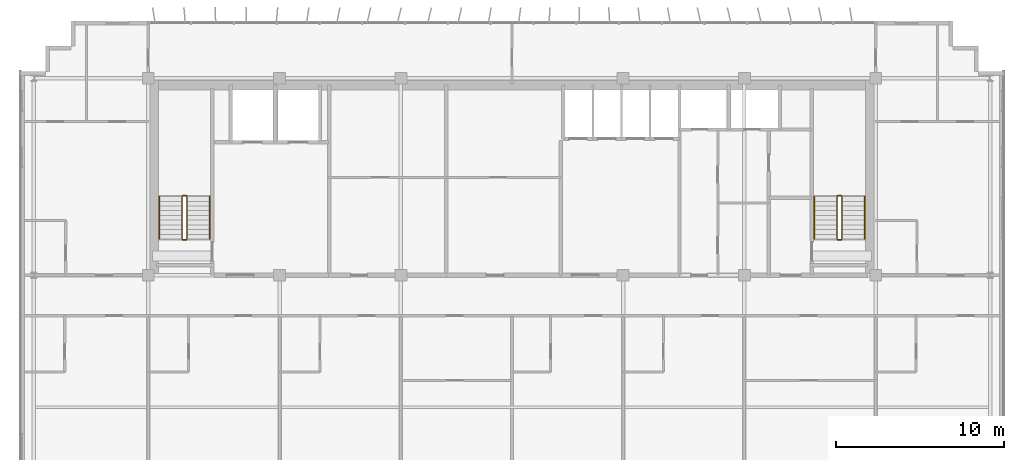
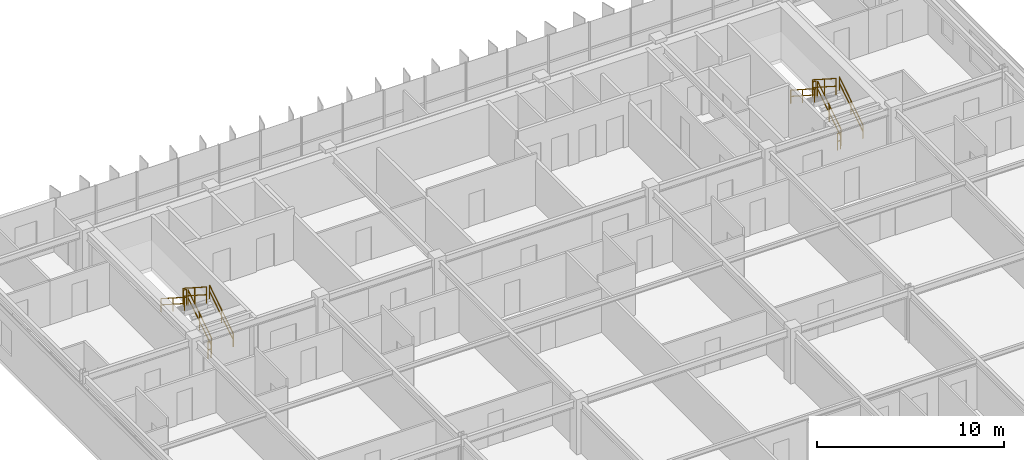
# One storey, part 23 of 23: 12 railings.
"""IFC4 building model written with IfcOpenShell, lengths in metres."""

from ifc_helpers import new_model, si_unit, direction, frame, origin, origin_2d, place, context, subcontext, project, spatial, rectangle, extrude, material, type_object, element, save


model = new_model("IFC4")

# Units and contexts
model_context = context("Model", 3, precision=1e-05, world=origin(), true_north=direction((0.0, 1.0)))
body_context = subcontext(model_context, "Body", "Model", "MODEL_VIEW")
ifc_project = project(units=[si_unit("LENGTHUNIT", "METRE"), si_unit("AREAUNIT", "SQUARE_METRE"), si_unit("VOLUMEUNIT", "CUBIC_METRE"), si_unit("PLANEANGLEUNIT", "RADIAN"), si_unit("MASSUNIT", "GRAM", prefix="KILO")], contexts=[model_context])

# Site, building, storey
site_placement = place(None, origin())
site = spatial("IfcSite", under=ifc_project, at=site_placement, CompositionType="ELEMENT")
building_placement = place(site_placement, origin())
building = spatial("IfcBuilding", under=site, at=building_placement, Name="Trelvane Seafront Commons", CompositionType="ELEMENT")
storey_placement = place(building_placement, frame((0.0, 0.0, 226.5)))
storey = spatial("IfcBuildingStorey", under=building, at=storey_placement, Name="L59", CompositionType="ELEMENT", Elevation=226.5)

# Railings
ifc_material = material(Name="Stainless steel balustrade", Category="steel")
railing_type_1 = type_object("IfcRailingType", Name="ARCH-SRL-GUARD", PredefinedType="GUARDRAIL", material=ifc_material)
railing_1_placement = place(storey_placement, frame((17.89990234375, 35.550048828125, 0.179931640625)))
element("IfcRailing", 1, at=railing_1_placement, inside=storey, type_object=railing_type_1, Name="L59 ST-1 stair guard 1", PredefinedType="GUARDRAIL", context=body_context, shape_type="SweptSolid", body=[
    extrude(rectangle(XDim=0.048095703125, YDim=0.048095703125, at=origin_2d()), frame((0.0, 0.0, 1.076171875), z_axis=(0.0, 0.841162588446, 0.540782303519), x_axis=(-1.0, 0.0, 0.0)), (0.0, 0.0, 1.0), 2.995849609375),
    extrude(rectangle(XDim=0.048095703125, YDim=0.048095703125, at=origin_2d()), frame((0.0, 0.0, 0.572021484375), z_axis=(0.0, 0.841162588446, 0.540782303519), x_axis=(-1.0, 0.0, 0.0)), (0.0, 0.0, 1.0), 2.995849609375),
    extrude(rectangle(XDim=0.0419921875, YDim=0.0419921875, at=origin_2d()), origin(), (0.0, 0.0, 1.0), 1.076171875),
    extrude(rectangle(XDim=0.0419921875, YDim=0.0419921875, at=origin_2d()), frame((0.0, 1.260009765625, 0.81005859375)), (0.0, 0.0, 1.0), 1.076171875),
    extrude(rectangle(XDim=0.0419921875, YDim=0.0419921875, at=origin_2d()), frame((0.0, 2.52001953125, 1.6201171875)), (0.0, 0.0, 1.0), 1.076171875),
])
railing_2_placement = place(storey_placement, frame((17.85009765625, 38.1201171875, 1.800048828125)))
element("IfcRailing", 2, at=railing_2_placement, inside=storey, type_object=railing_type_1, Name="L59 ST-1 stair guard 2", PredefinedType="GUARDRAIL", context=body_context, shape_type="SweptSolid", body=[
    extrude(rectangle(XDim=0.048095703125, YDim=0.048095703125, at=origin_2d()), frame((0.0, 0.0, 1.076171875), z_axis=(-1.0, 0.0, 0.0), x_axis=(0.0, -1.0, 0.0)), (0.0, 0.0, 1.0), 0.2001953125),
    extrude(rectangle(XDim=0.048095703125, YDim=0.048095703125, at=origin_2d()), frame((0.0, 0.0, 0.572021484375), z_axis=(-1.0, 0.0, 0.0), x_axis=(0.0, -1.0, 0.0)), (0.0, 0.0, 1.0), 0.2001953125),
    extrude(rectangle(XDim=0.0419921875, YDim=0.0419921875, at=origin_2d()), origin(), (0.0, 0.0, 1.0), 1.076171875),
    extrude(rectangle(XDim=0.0419921875, YDim=0.0419921875, at=origin_2d()), frame((-0.2001953125, 0.0, 0.0)), (0.0, 0.0, 1.0), 1.076171875),
])
railing_3_placement = place(storey_placement, frame((17.60009765625, 38.070068359375, 1.97998046875)))
element("IfcRailing", 3, at=railing_3_placement, inside=storey, type_object=railing_type_1, Name="L59 ST-1 stair guard 3", PredefinedType="GUARDRAIL", context=body_context, shape_type="SweptSolid", body=[
    extrude(rectangle(XDim=0.048095703125, YDim=0.048095703125, at=origin_2d()), frame((0.0, 0.0, 1.076171875), z_axis=(0.0, -0.841162588446, 0.540782303519), x_axis=(1.0, 0.0, 0.0)), (0.0, 0.0, 1.0), 2.995849609375),
    extrude(rectangle(XDim=0.048095703125, YDim=0.048095703125, at=origin_2d()), frame((0.0, 0.0, 0.572021484375), z_axis=(0.0, -0.841162588446, 0.540782303519), x_axis=(1.0, 0.0, 0.0)), (0.0, 0.0, 1.0), 2.995849609375),
    extrude(rectangle(XDim=0.0419921875, YDim=0.0419921875, at=origin_2d()), origin(), (0.0, 0.0, 1.0), 1.076171875),
    extrude(rectangle(XDim=0.0419921875, YDim=0.0419921875, at=origin_2d()), frame((0.0, -1.260009765625, 0.81005859375)), (0.0, 0.0, 1.0), 1.076171875),
    extrude(rectangle(XDim=0.0419921875, YDim=0.0419921875, at=origin_2d()), frame((0.0, -2.52001953125, 1.6201171875)), (0.0, 0.0, 1.0), 1.076171875),
])
railing_4_placement = place(storey_placement, frame((17.85009765625, 35.5, 0.0)))
element("IfcRailing", 4, at=railing_4_placement, inside=storey, type_object=railing_type_1, Name="L59 ST-1 stair guard 4", PredefinedType="GUARDRAIL", context=body_context, shape_type="SweptSolid", body=[
    extrude(rectangle(XDim=0.048095703125, YDim=0.048095703125, at=origin_2d()), frame((0.0, 0.0, 1.076171875), z_axis=(-1.0, 0.0, 0.0), x_axis=(0.0, -1.0, 0.0)), (0.0, 0.0, 1.0), 0.2001953125),
    extrude(rectangle(XDim=0.048095703125, YDim=0.048095703125, at=origin_2d()), frame((0.0, 0.0, 0.572021484375), z_axis=(-1.0, 0.0, 0.0), x_axis=(0.0, -1.0, 0.0)), (0.0, 0.0, 1.0), 0.2001953125),
    extrude(rectangle(XDim=0.0419921875, YDim=0.0419921875, at=origin_2d()), origin(), (0.0, 0.0, 1.0), 1.076171875),
    extrude(rectangle(XDim=0.0419921875, YDim=0.0419921875, at=origin_2d()), frame((-0.2001953125, 0.0, 0.0)), (0.0, 0.0, 1.0), 1.076171875),
])
railing_5_placement = place(storey_placement, frame((56.800048828125, 35.550048828125, 0.179931640625)))
element("IfcRailing", 5, at=railing_5_placement, inside=storey, type_object=railing_type_1, Name="L59 ST-2 stair guard 1", PredefinedType="GUARDRAIL", context=body_context, shape_type="SweptSolid", body=[
    extrude(rectangle(XDim=0.048095703125, YDim=0.048095703125, at=origin_2d()), frame((0.0, 0.0, 1.076171875), z_axis=(0.0, 0.841162588446, 0.540782303519), x_axis=(-1.0, 0.0, 0.0)), (0.0, 0.0, 1.0), 2.995849609375),
    extrude(rectangle(XDim=0.048095703125, YDim=0.048095703125, at=origin_2d()), frame((0.0, 0.0, 0.572021484375), z_axis=(0.0, 0.841162588446, 0.540782303519), x_axis=(-1.0, 0.0, 0.0)), (0.0, 0.0, 1.0), 2.995849609375),
    extrude(rectangle(XDim=0.0419921875, YDim=0.0419921875, at=origin_2d()), origin(), (0.0, 0.0, 1.0), 1.076171875),
    extrude(rectangle(XDim=0.0419921875, YDim=0.0419921875, at=origin_2d()), frame((0.0, 1.260009765625, 0.81005859375)), (0.0, 0.0, 1.0), 1.076171875),
    extrude(rectangle(XDim=0.0419921875, YDim=0.0419921875, at=origin_2d()), frame((0.0, 2.52001953125, 1.6201171875)), (0.0, 0.0, 1.0), 1.076171875),
])
railing_6_placement = place(storey_placement, frame((56.75, 38.1201171875, 1.800048828125)))
element("IfcRailing", 6, at=railing_6_placement, inside=storey, type_object=railing_type_1, Name="L59 ST-2 stair guard 2", PredefinedType="GUARDRAIL", context=body_context, shape_type="SweptSolid", body=[
    extrude(rectangle(XDim=0.048095703125, YDim=0.048095703125, at=origin_2d()), frame((0.0, 0.0, 1.076171875), z_axis=(-1.0, 0.0, 0.0), x_axis=(0.0, -1.0, 0.0)), (0.0, 0.0, 1.0), 0.199951171875),
    extrude(rectangle(XDim=0.048095703125, YDim=0.048095703125, at=origin_2d()), frame((0.0, 0.0, 0.572021484375), z_axis=(-1.0, 0.0, 0.0), x_axis=(0.0, -1.0, 0.0)), (0.0, 0.0, 1.0), 0.199951171875),
    extrude(rectangle(XDim=0.0419921875, YDim=0.0419921875, at=origin_2d()), origin(), (0.0, 0.0, 1.0), 1.076171875),
    extrude(rectangle(XDim=0.0419921875, YDim=0.0419921875, at=origin_2d()), frame((-0.199951171875, 0.0, 0.0)), (0.0, 0.0, 1.0), 1.076171875),
])
railing_7_placement = place(storey_placement, frame((56.5, 38.070068359375, 1.97998046875)))
element("IfcRailing", 7, at=railing_7_placement, inside=storey, type_object=railing_type_1, Name="L59 ST-2 stair guard 3", PredefinedType="GUARDRAIL", context=body_context, shape_type="SweptSolid", body=[
    extrude(rectangle(XDim=0.048095703125, YDim=0.048095703125, at=origin_2d()), frame((0.0, 0.0, 1.076171875), z_axis=(0.0, -0.841162588446, 0.540782303519), x_axis=(1.0, 0.0, 0.0)), (0.0, 0.0, 1.0), 2.995849609375),
    extrude(rectangle(XDim=0.048095703125, YDim=0.048095703125, at=origin_2d()), frame((0.0, 0.0, 0.572021484375), z_axis=(0.0, -0.841162588446, 0.540782303519), x_axis=(1.0, 0.0, 0.0)), (0.0, 0.0, 1.0), 2.995849609375),
    extrude(rectangle(XDim=0.0419921875, YDim=0.0419921875, at=origin_2d()), origin(), (0.0, 0.0, 1.0), 1.076171875),
    extrude(rectangle(XDim=0.0419921875, YDim=0.0419921875, at=origin_2d()), frame((0.0, -1.260009765625, 0.81005859375)), (0.0, 0.0, 1.0), 1.076171875),
    extrude(rectangle(XDim=0.0419921875, YDim=0.0419921875, at=origin_2d()), frame((0.0, -2.52001953125, 1.6201171875)), (0.0, 0.0, 1.0), 1.076171875),
])
railing_8_placement = place(storey_placement, frame((56.75, 35.5, 0.0)))
element("IfcRailing", 8, at=railing_8_placement, inside=storey, type_object=railing_type_1, Name="L59 ST-2 stair guard 4", PredefinedType="GUARDRAIL", context=body_context, shape_type="SweptSolid", body=[
    extrude(rectangle(XDim=0.048095703125, YDim=0.048095703125, at=origin_2d()), frame((0.0, 0.0, 1.076171875), z_axis=(-1.0, 0.0, 0.0), x_axis=(0.0, -1.0, 0.0)), (0.0, 0.0, 1.0), 0.199951171875),
    extrude(rectangle(XDim=0.048095703125, YDim=0.048095703125, at=origin_2d()), frame((0.0, 0.0, 0.572021484375), z_axis=(-1.0, 0.0, 0.0), x_axis=(0.0, -1.0, 0.0)), (0.0, 0.0, 1.0), 0.199951171875),
    extrude(rectangle(XDim=0.0419921875, YDim=0.0419921875, at=origin_2d()), origin(), (0.0, 0.0, 1.0), 1.076171875),
    extrude(rectangle(XDim=0.0419921875, YDim=0.0419921875, at=origin_2d()), frame((-0.199951171875, 0.0, 0.0)), (0.0, 0.0, 1.0), 1.076171875),
])
railing_type_2 = type_object("IfcRailingType", Name="ARCH-SRL-HAND", PredefinedType="HANDRAIL", material=ifc_material)
railing_9_placement = place(storey_placement, frame((19.25, 35.550048828125, 0.179931640625)))
element("IfcRailing", 9, at=railing_9_placement, inside=storey, type_object=railing_type_2, Name="L59 ST-1 stair handrail 1", PredefinedType="HANDRAIL", context=body_context, shape_type="SweptSolid", body=[
    extrude(rectangle(XDim=0.048095703125, YDim=0.048095703125, at=origin_2d()), frame((0.0, 0.0, 0.8759765625), z_axis=(0.0, 0.841162588446, 0.540782303519), x_axis=(-1.0, 0.0, 0.0)), (0.0, 0.0, 1.0), 2.995849609375),
    extrude(rectangle(XDim=0.048095703125, YDim=0.048095703125, at=origin_2d()), frame((0.0, 0.0, 0.468017578125), z_axis=(0.0, 0.841162588446, 0.540782303519), x_axis=(-1.0, 0.0, 0.0)), (0.0, 0.0, 1.0), 2.995849609375),
    extrude(rectangle(XDim=0.0419921875, YDim=0.0419921875, at=origin_2d()), origin(), (0.0, 0.0, 1.0), 0.8759765625),
    extrude(rectangle(XDim=0.0419921875, YDim=0.0419921875, at=origin_2d()), frame((0.0, 1.260009765625, 0.81005859375)), (0.0, 0.0, 1.0), 0.8759765625),
    extrude(rectangle(XDim=0.0419921875, YDim=0.0419921875, at=origin_2d()), frame((0.0, 2.52001953125, 1.6201171875)), (0.0, 0.0, 1.0), 0.8759765625),
])
railing_10_placement = place(storey_placement, frame((16.25, 38.070068359375, 1.97998046875)))
element("IfcRailing", 10, at=railing_10_placement, inside=storey, type_object=railing_type_2, Name="L59 ST-1 stair handrail 2", PredefinedType="HANDRAIL", context=body_context, shape_type="SweptSolid", body=[
    extrude(rectangle(XDim=0.048095703125, YDim=0.048095703125, at=origin_2d()), frame((0.0, 0.0, 0.8759765625), z_axis=(0.0, -0.841162588446, 0.540782303519), x_axis=(1.0, 0.0, 0.0)), (0.0, 0.0, 1.0), 2.995849609375),
    extrude(rectangle(XDim=0.048095703125, YDim=0.048095703125, at=origin_2d()), frame((0.0, 0.0, 0.468017578125), z_axis=(0.0, -0.841162588446, 0.540782303519), x_axis=(1.0, 0.0, 0.0)), (0.0, 0.0, 1.0), 2.995849609375),
    extrude(rectangle(XDim=0.0419921875, YDim=0.0419921875, at=origin_2d()), origin(), (0.0, 0.0, 1.0), 0.8759765625),
    extrude(rectangle(XDim=0.0419921875, YDim=0.0419921875, at=origin_2d()), frame((0.0, -1.260009765625, 0.81005859375)), (0.0, 0.0, 1.0), 0.8759765625),
    extrude(rectangle(XDim=0.0419921875, YDim=0.0419921875, at=origin_2d()), frame((0.0, -2.52001953125, 1.6201171875)), (0.0, 0.0, 1.0), 0.8759765625),
])
railing_11_placement = place(storey_placement, frame((58.14990234375, 35.550048828125, 0.179931640625)))
element("IfcRailing", 11, at=railing_11_placement, inside=storey, type_object=railing_type_2, Name="L59 ST-2 stair handrail 1", PredefinedType="HANDRAIL", context=body_context, shape_type="SweptSolid", body=[
    extrude(rectangle(XDim=0.048095703125, YDim=0.048095703125, at=origin_2d()), frame((0.0, 0.0, 0.8759765625), z_axis=(0.0, 0.841162588446, 0.540782303519), x_axis=(-1.0, 0.0, 0.0)), (0.0, 0.0, 1.0), 2.995849609375),
    extrude(rectangle(XDim=0.048095703125, YDim=0.048095703125, at=origin_2d()), frame((0.0, 0.0, 0.468017578125), z_axis=(0.0, 0.841162588446, 0.540782303519), x_axis=(-1.0, 0.0, 0.0)), (0.0, 0.0, 1.0), 2.995849609375),
    extrude(rectangle(XDim=0.0419921875, YDim=0.0419921875, at=origin_2d()), origin(), (0.0, 0.0, 1.0), 0.8759765625),
    extrude(rectangle(XDim=0.0419921875, YDim=0.0419921875, at=origin_2d()), frame((0.0, 1.260009765625, 0.81005859375)), (0.0, 0.0, 1.0), 0.8759765625),
    extrude(rectangle(XDim=0.0419921875, YDim=0.0419921875, at=origin_2d()), frame((0.0, 2.52001953125, 1.6201171875)), (0.0, 0.0, 1.0), 0.8759765625),
])
railing_12_placement = place(storey_placement, frame((55.14990234375, 38.070068359375, 1.97998046875)))
element("IfcRailing", 12, at=railing_12_placement, inside=storey, type_object=railing_type_2, Name="L59 ST-2 stair handrail 2", PredefinedType="HANDRAIL", context=body_context, shape_type="SweptSolid", body=[
    extrude(rectangle(XDim=0.048095703125, YDim=0.048095703125, at=origin_2d()), frame((0.0, 0.0, 0.8759765625), z_axis=(0.0, -0.841162588446, 0.540782303519), x_axis=(1.0, 0.0, 0.0)), (0.0, 0.0, 1.0), 2.995849609375),
    extrude(rectangle(XDim=0.048095703125, YDim=0.048095703125, at=origin_2d()), frame((0.0, 0.0, 0.468017578125), z_axis=(0.0, -0.841162588446, 0.540782303519), x_axis=(1.0, 0.0, 0.0)), (0.0, 0.0, 1.0), 2.995849609375),
    extrude(rectangle(XDim=0.0419921875, YDim=0.0419921875, at=origin_2d()), origin(), (0.0, 0.0, 1.0), 0.8759765625),
    extrude(rectangle(XDim=0.0419921875, YDim=0.0419921875, at=origin_2d()), frame((0.0, -1.260009765625, 0.81005859375)), (0.0, 0.0, 1.0), 0.8759765625),
    extrude(rectangle(XDim=0.0419921875, YDim=0.0419921875, at=origin_2d()), frame((0.0, -2.52001953125, 1.6201171875)), (0.0, 0.0, 1.0), 0.8759765625),
])

save(model, "model.ifc")
